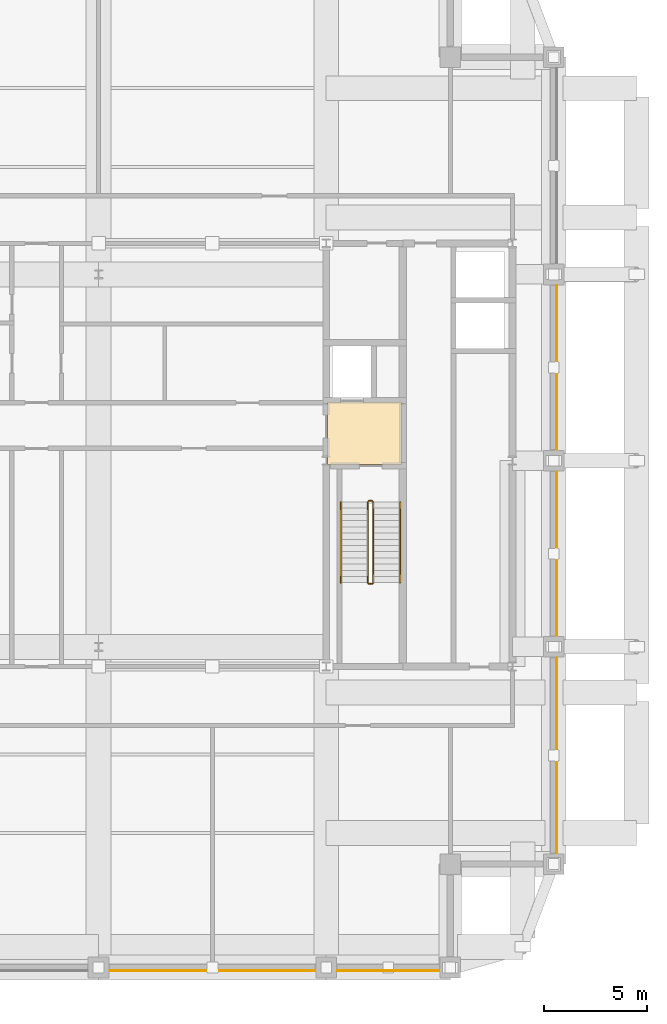
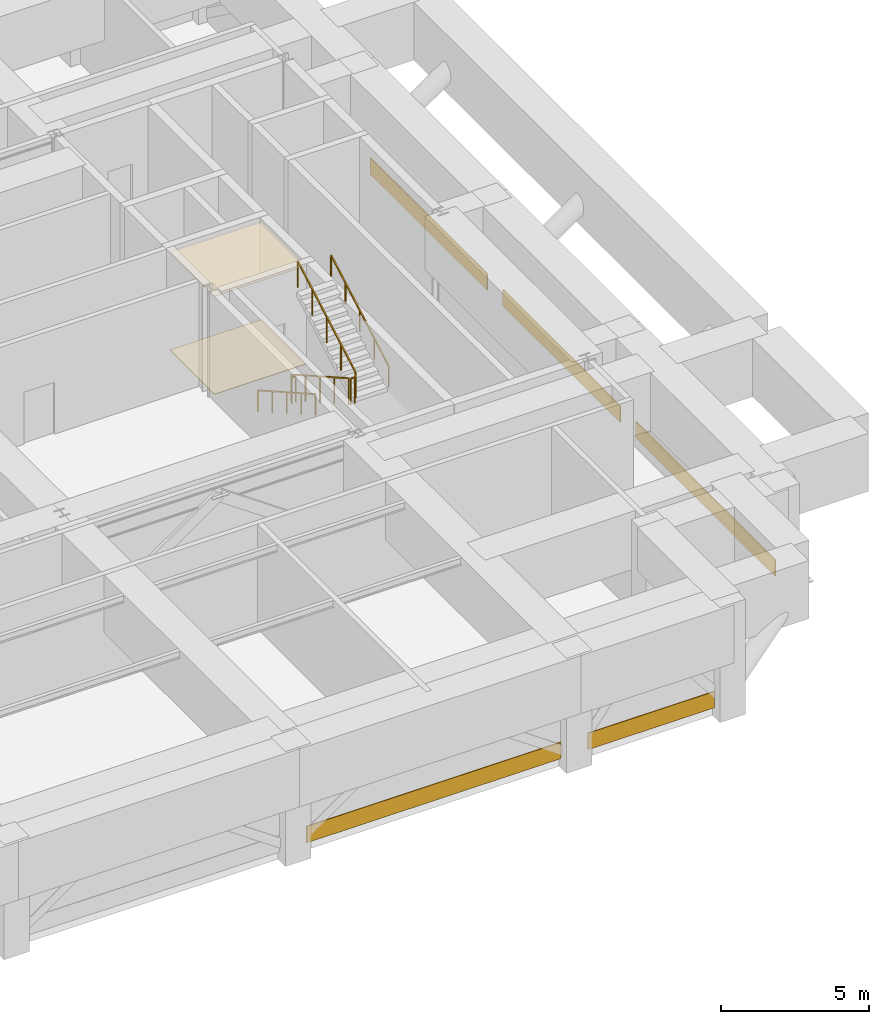
# One storey, part 8 of 9: 7 coverings, 6 railings.
"""IFC4 building model written with IfcOpenShell, lengths in metres."""

from ifc_helpers import new_model, si_unit, direction, frame, frame_2d, origin, origin_2d, place, context, subcontext, project, spatial, polyline, rectangle, outline, extrude, material, layer, layer_set, type_object, element, save


model = new_model("IFC4")

# Units and contexts
model_context = context("Model", 3, precision=1e-05, world=origin(), true_north=direction((0.0, 1.0)))
body_context = subcontext(model_context, "Body", "Model", "MODEL_VIEW")
ifc_project = project(units=[si_unit("LENGTHUNIT", "METRE"), si_unit("AREAUNIT", "SQUARE_METRE"), si_unit("VOLUMEUNIT", "CUBIC_METRE"), si_unit("PLANEANGLEUNIT", "RADIAN"), si_unit("MASSUNIT", "GRAM", prefix="KILO")], contexts=[model_context])

# Site, building, storey
site_placement = place(None, origin())
site = spatial("IfcSite", under=ifc_project, at=site_placement, CompositionType="ELEMENT")
building_placement = place(site_placement, origin())
building = spatial("IfcBuilding", under=site, at=building_placement, Name="Zulmaris Gate Convention Tower", CompositionType="ELEMENT")
storey_placement = place(building_placement, frame((0.0, 0.0, 222.06005859375)))
storey = spatial("IfcBuildingStorey", under=building, at=storey_placement, Name="L58", CompositionType="ELEMENT", Elevation=222.06005859375)

# Coverings
ifc_material_1 = material(Name="Precast concrete C40/50", Category="concrete")
ifc_layer_1 = layer(ifc_material_1, 0.0400390625, Name="Precast concrete C40/50")
ifc_layer_set_1 = layer_set([ifc_layer_1], Name="Precast concrete C40/50")
covering_type_1 = type_object("IfcCoveringType", Name="CLAD-SPANDREL-PRECAST", PredefinedType="CLADDING", material=ifc_layer_set_1)
covering_1_placement = place(storey_placement, frame((0.530029296875, -24.64990234375, 0.0), z_axis=(0.0, 0.0, 1.0), x_axis=(1.0, 0.0, 0.0)))
element("IfcCovering", 1, at=covering_1_placement, inside=storey, type_object=covering_type_1, Name="CLD-L58-S-2_0", PredefinedType="CLADDING", context=body_context, shape_type="SweptSolid", body=[
    extrude(rectangle(XDim=9.93994140625, YDim=0.0400390625, at=frame_2d((4.969970703125, 0.0))), origin(), (0.0, 0.0, 1.0), 0.679931640625),
])
covering_2_placement = place(storey_placement, frame((11.530029296875, -24.64990234375, 0.0), z_axis=(0.0, 0.0, 1.0), x_axis=(1.0, 0.0, 0.0)))
element("IfcCovering", 2, at=covering_2_placement, inside=storey, type_object=covering_type_1, Name="CLD-L58-S-3_0", PredefinedType="CLADDING", context=body_context, shape_type="SweptSolid", body=[
    extrude(rectangle(XDim=4.93994140625, YDim=0.0400390625, at=frame_2d((2.469970703125, 0.0))), origin(), (0.0, 0.0, 1.0), 0.679931640625),
])
covering_3_placement = place(storey_placement, frame((22.14990234375, -18.969970703125, 0.0), z_axis=(0.0, 0.0, 1.0), x_axis=(0.0, 1.0, 0.0)))
element("IfcCovering", 3, at=covering_3_placement, inside=storey, type_object=covering_type_1, Name="CLD-L58-E-0_0", PredefinedType="CLADDING", context=body_context, shape_type="SweptSolid", body=[
    extrude(rectangle(XDim=9.43994140625, YDim=0.0400390625, at=frame_2d((4.719970703125, 0.0))), origin(), (0.0, 0.0, 1.0), 0.679931640625),
])
for number, where, z_axis, x_axis, name in (
    (4, (22.14990234375, -8.469970703125, 0.0), (0.0, 0.0, 1.0), (0.0, 1.0, 0.0), "CLD-L58-E-1_0"),
    (5, (22.14990234375, 0.530029296875, 0.0), (0.0, 0.0, 1.0), (0.0, 1.0, 0.0), "CLD-L58-E-2_0"),
):
    element("IfcCovering", number, at=place(storey_placement, frame(where, z_axis=z_axis, x_axis=x_axis)), inside=storey, type_object=covering_type_1, Name=name, PredefinedType="CLADDING", context=body_context, shape_type="SweptSolid", body=[
        extrude(rectangle(XDim=7.93994140625, YDim=0.0400390625, at=frame_2d((3.969970703125, 0.0))), origin(), (0.0, 0.0, 1.0), 0.679931640625),
    ])
ifc_material_2 = material(Name="Mineral Fibre Acoustic Ceiling Tile")
ifc_layer_2 = layer(ifc_material_2, 0.02001953125, Name="Mineral Fibre Acoustic Ceiling Tile")
ifc_layer_set_2 = layer_set([ifc_layer_2], Name="Mineral Fibre Acoustic Ceiling Tile")
covering_type_2 = type_object("IfcCoveringType", Name="CLG-ACOUSTIC-600", PredefinedType="CEILING", material=ifc_layer_set_2)
covering_4_placement = place(storey_placement, frame((0.0, 0.0, 4.054931640625)))
element("IfcCovering", 6, at=covering_4_placement, inside=storey, type_object=covering_type_2, Name="CLG-L58-R08", PredefinedType="CEILING", context=body_context, shape_type="SweptSolid", body=[
    extrude(outline(polyline([(11.06005859375, -0.18994140625), (14.639892578125, -0.18994140625), (14.639892578125, 2.840087890625), (11.06005859375, 2.840087890625), (11.06005859375, -0.18994140625)])), origin(), (0.0, 0.0, 1.0), 0.02001953125),
])
ifc_material_3 = material(Name="Woven Acoustic Wool Carpet Tile")
ifc_layer_3 = layer(ifc_material_3, 0.02001953125, Name="Woven Acoustic Wool Carpet Tile")
ifc_layer_set_3 = layer_set([ifc_layer_3], Name="Woven Acoustic Wool Carpet Tile")
covering_type_3 = type_object("IfcCoveringType", Name="FLR-CARPET-12", PredefinedType="FLOORING", material=ifc_layer_set_3)
covering_5_placement = place(storey_placement, origin())
element("IfcCovering", 7, at=covering_5_placement, inside=storey, type_object=covering_type_3, Name="FLR-L58-R08", PredefinedType="FLOORING", context=body_context, shape_type="SweptSolid", body=[
    extrude(outline(polyline([(11.06005859375, -0.18994140625), (14.639892578125, -0.18994140625), (14.639892578125, 2.840087890625), (11.06005859375, 2.840087890625), (11.06005859375, -0.18994140625)])), origin(), (0.0, 0.0, 1.0), 0.02001953125),
])

# Railings
ifc_material_4 = material(Name="Painted Galvanised Steel", Category="steel")
railing_type_1 = type_object("IfcRailingType", Name="RL-STG-1150", PredefinedType="GUARDRAIL", material=ifc_material_4)
railing_1_placement = place(storey_placement, frame((13.010009765625, -2.0, 0.169921875)))
element("IfcRailing", 8, at=railing_1_placement, inside=storey, type_object=railing_type_1, Name="L58 ST-2 stair guard 1", PredefinedType="GUARDRAIL", context=body_context, shape_type="SweptSolid", body=[
    extrude(rectangle(XDim=0.048095703125, YDim=0.048095703125, at=origin_2d()), frame((0.0, 0.0, 1.076171875), z_axis=(0.0, -0.869997266274, 0.49305654511), x_axis=(1.0, 0.0, 0.0)), (0.0, 0.0, 1.0), 4.482666015625),
    extrude(rectangle(XDim=0.0419921875, YDim=0.0419921875, at=origin_2d()), origin(), (0.0, 0.0, 1.0), 1.052001953125),
    extrude(rectangle(XDim=0.0419921875, YDim=0.0419921875, at=origin_2d()), frame((0.0, -0.97509765625, 0.552490234375)), (0.0, 0.0, 1.0), 1.052001953125),
    extrude(rectangle(XDim=0.0419921875, YDim=0.0419921875, at=origin_2d()), frame((0.0, -1.949951171875, 1.10498046875)), (0.0, 0.0, 1.0), 1.052001953125),
    extrude(rectangle(XDim=0.0419921875, YDim=0.0419921875, at=origin_2d()), frame((0.0, -2.9248046875, 1.65771484375)), (0.0, 0.0, 1.0), 1.052001953125),
    extrude(rectangle(XDim=0.0419921875, YDim=0.0419921875, at=origin_2d()), frame((0.0, -3.89990234375, 2.210205078125)), (0.0, 0.0, 1.0), 1.052001953125),
])
railing_2_placement = place(storey_placement, frame((13.06005859375, -5.949951171875, 2.380126953125)))
element("IfcRailing", 9, at=railing_2_placement, inside=storey, type_object=railing_type_1, Name="L58 ST-2 stair guard 2", PredefinedType="GUARDRAIL", context=body_context, shape_type="SweptSolid", body=[
    extrude(rectangle(XDim=0.048095703125, YDim=0.048095703125, at=origin_2d()), frame((0.0, 0.0, 1.076171875), z_axis=(1.0, 0.0, 0.0), x_axis=(0.0, 1.0, 0.0)), (0.0, 0.0, 1.0), 0.159912109375),
    extrude(rectangle(XDim=0.0419921875, YDim=0.0419921875, at=origin_2d()), origin(), (0.0, 0.0, 1.0), 1.052001953125),
    extrude(rectangle(XDim=0.0419921875, YDim=0.0419921875, at=origin_2d()), frame((0.159912109375, 0.0, 0.0)), (0.0, 0.0, 1.0), 1.052001953125),
])
railing_3_placement = place(storey_placement, frame((13.27001953125, -5.89990234375, 2.550048828125)))
element("IfcRailing", 10, at=railing_3_placement, inside=storey, type_object=railing_type_1, Name="L58 ST-2 stair guard 3", PredefinedType="GUARDRAIL", context=body_context, shape_type="SweptSolid", body=[
    extrude(rectangle(XDim=0.048095703125, YDim=0.048095703125, at=origin_2d()), frame((0.0, 0.0, 1.076171875), z_axis=(0.0, 0.870020628399, 0.493015320412), x_axis=(-1.0, 0.0, 0.0)), (0.0, 0.0, 1.0), 4.482421875),
    extrude(rectangle(XDim=0.0419921875, YDim=0.0419921875, at=origin_2d()), origin(), (0.0, 0.0, 1.0), 1.052001953125),
    extrude(rectangle(XDim=0.0419921875, YDim=0.0419921875, at=origin_2d()), frame((0.0, 0.97509765625, 0.552490234375)), (0.0, 0.0, 1.0), 1.052001953125),
    extrude(rectangle(XDim=0.0419921875, YDim=0.0419921875, at=origin_2d()), frame((0.0, 1.949951171875, 1.10498046875)), (0.0, 0.0, 1.0), 1.052001953125),
    extrude(rectangle(XDim=0.0419921875, YDim=0.0419921875, at=origin_2d()), frame((0.0, 2.9248046875, 1.657470703125)), (0.0, 0.0, 1.0), 1.052001953125),
    extrude(rectangle(XDim=0.0419921875, YDim=0.0419921875, at=origin_2d()), frame((0.0, 3.89990234375, 2.2099609375)), (0.0, 0.0, 1.0), 1.052001953125),
])
railing_4_placement = place(storey_placement, frame((13.06005859375, -1.949951171875, 0.0)))
element("IfcRailing", 11, at=railing_4_placement, inside=storey, type_object=railing_type_1, Name="L58 ST-2 stair guard 4", PredefinedType="GUARDRAIL", context=body_context, shape_type="SweptSolid", body=[
    extrude(rectangle(XDim=0.048095703125, YDim=0.048095703125, at=origin_2d()), frame((0.0, 0.0, 1.076171875), z_axis=(1.0, 0.0, 0.0), x_axis=(0.0, 1.0, 0.0)), (0.0, 0.0, 1.0), 0.159912109375),
    extrude(rectangle(XDim=0.0419921875, YDim=0.0419921875, at=origin_2d()), origin(), (0.0, 0.0, 1.0), 1.052001953125),
    extrude(rectangle(XDim=0.0419921875, YDim=0.0419921875, at=origin_2d()), frame((0.159912109375, 0.0, 0.0)), (0.0, 0.0, 1.0), 1.052001953125),
])
ifc_material_5 = material(Name="Brushed Stainless Steel", Category="steel")
railing_type_2 = type_object("IfcRailingType", Name="RL-STH-900", PredefinedType="HANDRAIL", material=ifc_material_5)
railing_5_placement = place(storey_placement, frame((11.7099609375, -2.0, 0.169921875)))
element("IfcRailing", 12, at=railing_5_placement, inside=storey, type_object=railing_type_2, Name="L58 ST-2 stair handrail 1", PredefinedType="HANDRAIL", context=body_context, shape_type="SweptSolid", body=[
    extrude(rectangle(XDim=0.048095703125, YDim=0.048095703125, at=origin_2d()), frame((0.0, 0.0, 0.8759765625), z_axis=(0.0, -0.869997266274, 0.49305654511), x_axis=(1.0, 0.0, 0.0)), (0.0, 0.0, 1.0), 4.482666015625),
    extrude(rectangle(XDim=0.0419921875, YDim=0.0419921875, at=origin_2d()), origin(), (0.0, 0.0, 1.0), 0.851806640625),
    extrude(rectangle(XDim=0.0419921875, YDim=0.0419921875, at=origin_2d()), frame((0.0, -0.97509765625, 0.552490234375)), (0.0, 0.0, 1.0), 0.851806640625),
    extrude(rectangle(XDim=0.0419921875, YDim=0.0419921875, at=origin_2d()), frame((0.0, -1.949951171875, 1.10498046875)), (0.0, 0.0, 1.0), 0.851806640625),
    extrude(rectangle(XDim=0.0419921875, YDim=0.0419921875, at=origin_2d()), frame((0.0, -2.9248046875, 1.65771484375)), (0.0, 0.0, 1.0), 0.851806640625),
    extrude(rectangle(XDim=0.0419921875, YDim=0.0419921875, at=origin_2d()), frame((0.0, -3.89990234375, 2.210205078125)), (0.0, 0.0, 1.0), 0.851806640625),
])
railing_6_placement = place(storey_placement, frame((14.570068359375, -5.89990234375, 2.550048828125)))
element("IfcRailing", 13, at=railing_6_placement, inside=storey, type_object=railing_type_2, Name="L58 ST-2 stair handrail 2", PredefinedType="HANDRAIL", context=body_context, shape_type="SweptSolid", body=[
    extrude(rectangle(XDim=0.048095703125, YDim=0.048095703125, at=origin_2d()), frame((0.0, 0.0, 0.8759765625), z_axis=(0.0, 0.870020628399, 0.493015320412), x_axis=(-1.0, 0.0, 0.0)), (0.0, 0.0, 1.0), 4.482421875),
    extrude(rectangle(XDim=0.0419921875, YDim=0.0419921875, at=origin_2d()), origin(), (0.0, 0.0, 1.0), 0.851806640625),
    extrude(rectangle(XDim=0.0419921875, YDim=0.0419921875, at=origin_2d()), frame((0.0, 0.97509765625, 0.552490234375)), (0.0, 0.0, 1.0), 0.851806640625),
    extrude(rectangle(XDim=0.0419921875, YDim=0.0419921875, at=origin_2d()), frame((0.0, 1.949951171875, 1.10498046875)), (0.0, 0.0, 1.0), 0.851806640625),
    extrude(rectangle(XDim=0.0419921875, YDim=0.0419921875, at=origin_2d()), frame((0.0, 2.9248046875, 1.657470703125)), (0.0, 0.0, 1.0), 0.851806640625),
    extrude(rectangle(XDim=0.0419921875, YDim=0.0419921875, at=origin_2d()), frame((0.0, 3.89990234375, 2.2099609375)), (0.0, 0.0, 1.0), 0.851806640625),
])

save(model, "model.ifc")
